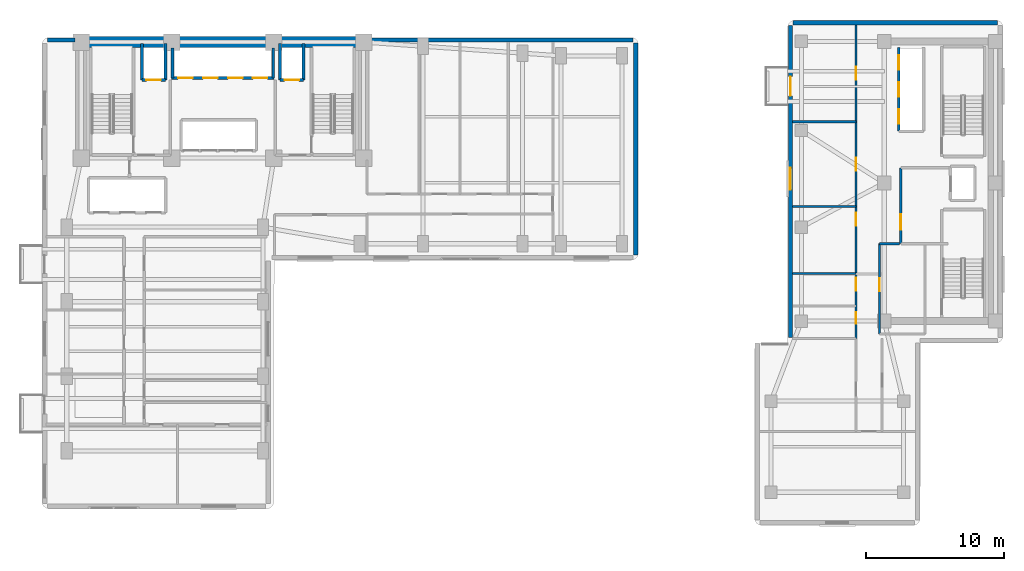
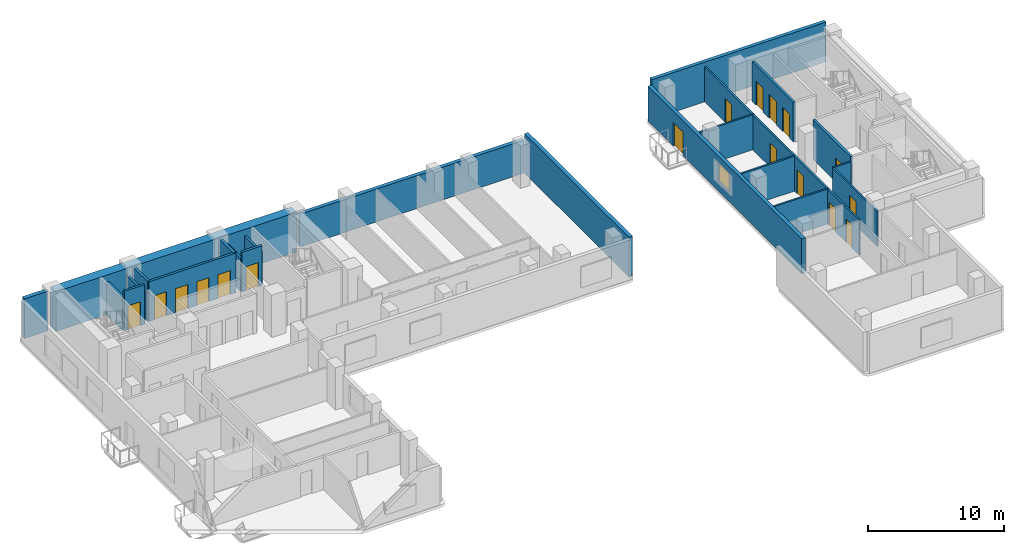
# One storey, part 11 of 16: 23 walls, 17 doors, 1 window, 18 openings.
"""IFC4 building model written with IfcOpenShell, lengths in metres."""

from ifc_helpers import new_model, si_unit, direction, frame, frame_2d, origin, place, context, subcontext, project, spatial, rectangle, extrude, material, layer, layer_set, type_object, element, fill, save


model = new_model("IFC4")

# Units and contexts
model_context = context("Model", 3, precision=1e-05, world=origin(), true_north=direction((0.0, 1.0)))
body_context = subcontext(model_context, "Body", "Model", "MODEL_VIEW")
ifc_project = project(units=[si_unit("LENGTHUNIT", "METRE"), si_unit("AREAUNIT", "SQUARE_METRE"), si_unit("VOLUMEUNIT", "CUBIC_METRE"), si_unit("PLANEANGLEUNIT", "RADIAN"), si_unit("MASSUNIT", "GRAM", prefix="KILO")], contexts=[model_context])

# Site, building, storey
site_placement = place(None, origin())
site = spatial("IfcSite", under=ifc_project, at=site_placement, CompositionType="ELEMENT")
building_placement = place(site_placement, origin())
building = spatial("IfcBuilding", under=site, at=building_placement, Name="Kuzgunbayir Cultural Tower", CompositionType="ELEMENT")
storey_placement = place(building_placement, frame((0.0, 0.0, 75.60009765625)))
storey = spatial("IfcBuildingStorey", under=building, at=storey_placement, Name="L21", CompositionType="ELEMENT", Elevation=75.60009765625)

# Wall
ifc_material_1 = material(Name="Concrete C60/75", Category="concrete")
ifc_layer_1 = layer(ifc_material_1, 0.800048828125)
ifc_layer_set_1 = layer_set([ifc_layer_1], Name="Concrete C60/75")
wall_type_1 = type_object("IfcWallType", Name="WAL-CORE-800", PredefinedType="SHEAR", material=ifc_layer_set_1)
wall_1_placement = place(storey_placement, frame((6.449951171875, 42.199951171875, 0.0), z_axis=(0.0, 0.0, 1.0), x_axis=(1.0, 0.0, 0.0)))
element("IfcWall", 1, at=wall_1_placement, inside=storey, type_object=wall_type_1, Name="L21 T1 Core North Shear Wall", PredefinedType="SHEAR", context=body_context, shape_type="SweptSolid", body=[
    extrude(rectangle(XDim=20.449951171875, YDim=0.800048828125, at=frame_2d((10.22509765625, 0.0))), origin(), (0.0, 0.0, 1.0), 3.559814453125),
])

# Wall, openings, door, window
ifc_material_2 = material(Name="Anatolian Cream Limestone", Category="masonry")
ifc_layer_2 = layer(ifc_material_2, 0.300048828125)
ifc_layer_set_2 = layer_set([ifc_layer_2], Name="Anatolian Cream Limestone")
wall_type_2 = type_object("IfcWallType", Name="WAL-EXT-STONE-300", PredefinedType="STANDARD", material=ifc_layer_set_2)
wall_2_placement = place(storey_placement, frame((57.800048828125, 43.39990234375, 0.0), z_axis=(0.0, 0.0, 1.0), x_axis=(0.0, -1.0, 0.0)))
wall_2 = element("IfcWall", 2, at=wall_2_placement, inside=storey, type_object=wall_type_2, Name="L21 Companion West Limestone Wall", PredefinedType="STANDARD", context=body_context, shape_type="SweptSolid", body=[
    extrude(rectangle(XDim=22.599853515625, YDim=0.300048828125, at=frame_2d((11.2998046875, 0.0))), origin(), (0.0, 0.0, 1.0), 3.139892578125),
])
opening_1_placement = place(wall_2_placement, frame((3.699951171875, 0.0, 0.0)))
opening_1 = element("IfcOpeningElement", 3, at=opening_1_placement, cuts=wall_2, Name="Opening BD-15", PredefinedType="OPENING", context=body_context, shape_type="SweptSolid", body=[
    extrude(rectangle(XDim=1.39990234375, YDim=2.10009765625, at=frame_2d((0.699951171875, 1.050048828125))), frame((0.0, 0.16015625, 0.0), z_axis=(0.0, -1.0, 0.0), x_axis=(1.0, 0.0, 0.0)), (0.0, 0.0, 1.0), 0.320068359375),
])
opening_2_placement = place(wall_2_placement, frame((10.300048828125, 0.0, 0.85009765625)))
opening_2 = element("IfcOpeningElement", 4, at=opening_2_placement, cuts=wall_2, Name="Opening WC-16", PredefinedType="OPENING", context=body_context, shape_type="SweptSolid", body=[
    extrude(rectangle(XDim=1.60009765625, YDim=1.699951171875, at=frame_2d((0.800048828125, 0.85009765625))), frame((0.0, 0.16015625, 0.0), z_axis=(0.0, -1.0, 0.0), x_axis=(1.0, 0.0, 0.0)), (0.0, 0.0, 1.0), 0.320068359375),
])
ifc_material_3 = material(Name="Thermally Broken Glazed Aluminium", Category="aluminium")
door_type_1 = type_object("IfcDoorType", Name="DR-BALCONY-150", OperationType="SLIDING_TO_RIGHT", PredefinedType="DOOR", material=ifc_material_3)
door_1_placement = place(opening_1_placement, origin())
door_1 = element("IfcDoor", 5, at=door_1_placement, inside=storey, type_object=door_type_1, Name="L21 Companion Balcony Door BAL-L21-T2W3", OperationType="SLIDING_TO_RIGHT", OverallHeight=2.10009765625, OverallWidth=1.39990234375, PredefinedType="DOOR", context=body_context, shape_type="SweptSolid", body=[
    extrude(rectangle(XDim=1.39990234375, YDim=2.10009765625, at=frame_2d((0.699951171875, 1.050048828125))), frame((0.0, 0.02490234375, 0.0), z_axis=(0.0, -1.0, 0.0), x_axis=(1.0, 0.0, 0.0)), (0.0, 0.0, 1.0), 0.050048828125),
])
fill(opening_1, door_1)
ifc_material_4 = material(Name="Solar-Control Triple Glazing", Category="glass")
window_type = type_object("IfcWindowType", Name="WIN-COMP-16", PartitioningType="SINGLE_PANEL", PredefinedType="WINDOW", material=ifc_material_4)
window_placement = place(opening_2_placement, origin())
window = element("IfcWindow", 6, at=window_placement, inside=storey, type_object=window_type, Name="L21 Companion West Window 32", OverallHeight=1.699951171875, OverallWidth=1.60009765625, PartitioningType="SINGLE_PANEL", PredefinedType="WINDOW", context=body_context, shape_type="SweptSolid", body=[
    extrude(rectangle(XDim=1.60009765625, YDim=1.699951171875, at=frame_2d((0.800048828125, 0.85009765625))), frame((0.0, 0.030029296875, 0.0), z_axis=(0.0, -1.0, 0.0), x_axis=(1.0, 0.0, 0.0)), (0.0, 0.0, 1.0), 0.06005859375),
])
fill(opening_2, window)

# Walls
wall_3_placement = place(storey_placement, frame((72.800048828125, 43.60009765625, 0.0), z_axis=(0.0, 0.0, 1.0), x_axis=(-1.0, 0.0, 0.0)))
element("IfcWall", 7, at=wall_3_placement, inside=storey, type_object=wall_type_2, Name="L21 Companion North Limestone Wall", PredefinedType="STANDARD", context=body_context, shape_type="SweptSolid", body=[
    extrude(rectangle(XDim=14.800048828125, YDim=0.300048828125, at=frame_2d((7.39990234375, 0.0))), origin(), (0.0, 0.0, 1.0), 3.559814453125),
])
ifc_material_5 = material(Name="Travertine Buff Ashlar", Category="masonry")
ifc_layer_3 = layer(ifc_material_5, 0.320068359375)
ifc_layer_set_3 = layer_set([ifc_layer_3], Name="Travertine Buff Ashlar")
wall_type_3 = type_object("IfcWallType", Name="WAL-EXT-STONE-320", PredefinedType="STANDARD", material=ifc_layer_set_3)
wall_4_placement = place(storey_placement, frame((46.39990234375, 42.35009765625, 0.0), z_axis=(0.0, 0.0, 1.0), x_axis=(-1.0, 0.0, 0.0)))
element("IfcWall", 8, at=wall_4_placement, inside=storey, type_object=wall_type_3, Name="L21 North Wing B Limestone Wall", PredefinedType="STANDARD", context=body_context, shape_type="SweptSolid", body=[
    extrude(rectangle(XDim=19.0498046875, YDim=0.320068359375, at=frame_2d((9.52490234375, 0.0))), origin(), (0.0, 0.0, 1.0), 2.949951171875),
])
wall_5_placement = place(storey_placement, frame((6.0, 42.35009765625, 0.0), z_axis=(0.0, 0.0, 1.0), x_axis=(-1.0, 0.0, 0.0)))
element("IfcWall", 9, at=wall_5_placement, inside=storey, type_object=wall_type_3, Name="L21 Core North-West Spandrel Link", PredefinedType="STANDARD", context=body_context, shape_type="SweptSolid", body=[
    extrude(rectangle(XDim=2.0, YDim=0.320068359375, at=frame_2d((1.0, 0.0))), origin(), (0.0, 0.0, 1.0), 3.559814453125),
])
wall_6_placement = place(storey_placement, frame((46.60009765625, 26.800048828125, 0.0), z_axis=(0.0, 0.0, 1.0), x_axis=(0.0, 1.0, 0.0)))
element("IfcWall", 10, at=wall_6_placement, inside=storey, type_object=wall_type_3, Name="L21 Wing B East Limestone Wall", PredefinedType="STANDARD", context=body_context, shape_type="SweptSolid", body=[
    extrude(rectangle(XDim=15.349853515625, YDim=0.320068359375, at=frame_2d((7.6748046875, 0.0))), origin(), (0.0, 0.0, 1.0), 3.559814453125),
])

# Wall, opening, door
ifc_material_6 = material(Name="Acoustic Double-Stud Drywall", Category="gypsum")
ifc_layer_4 = layer(ifc_material_6, 0.14990234375)
ifc_layer_set_4 = layer_set([ifc_layer_4], Name="Acoustic Double-Stud Drywall")
wall_type_4 = type_object("IfcWallType", Name="WAL-PART-ACOUSTIC-150", PredefinedType="PARTITIONING", material=ifc_layer_set_4)
wall_7_placement = place(storey_placement, frame((64.25, 21.050048828125, 0.0), z_axis=(0.0, 0.0, 1.0), x_axis=(0.0, 1.0, 0.0)))
wall_7 = element("IfcWall", 11, at=wall_7_placement, inside=storey, type_object=wall_type_4, Name="L21 Companion Archive West Wall", PredefinedType="PARTITIONING", context=body_context, shape_type="SweptSolid", body=[
    extrude(rectangle(XDim=6.550048828125, YDim=0.14990234375, at=frame_2d((3.27490234375, 0.0))), origin(), (0.0, 0.0, 1.0), 3.139892578125),
])
opening_3_placement = place(wall_7_placement, frame((3.10009765625, 0.0, 0.0)))
opening_3 = element("IfcOpeningElement", 12, at=opening_3_placement, cuts=wall_7, Name="Opening DI-90", PredefinedType="OPENING", context=body_context, shape_type="SweptSolid", body=[
    extrude(rectangle(XDim=0.949951171875, YDim=2.14990234375, at=frame_2d((0.47509765625, 1.074951171875))), frame((0.0, 0.0849609375, 0.0), z_axis=(0.0, -1.0, 0.0), x_axis=(1.0, 0.0, 0.0)), (0.0, 0.0, 1.0), 0.169921875),
])
ifc_material_7 = material(Name="Veneered Oak Single Leaf", Category="wood")
door_type_2 = type_object("IfcDoorType", Name="DR-INT-90", OperationType="NOTDEFINED", PredefinedType="DOOR", material=ifc_material_7)
door_2_placement = place(opening_3_placement, origin())
door_2 = element("IfcDoor", 13, at=door_2_placement, inside=storey, type_object=door_type_2, Name="L21 Companion Archive Door", OperationType="SINGLE_SWING_LEFT", OverallHeight=2.14990234375, OverallWidth=0.949951171875, PredefinedType="DOOR", context=body_context, shape_type="SweptSolid", body=[
    extrude(rectangle(XDim=0.949951171875, YDim=2.14990234375, at=frame_2d((0.47509765625, 1.074951171875))), frame((0.0, 0.02490234375, 0.0), z_axis=(0.0, -1.0, 0.0), x_axis=(1.0, 0.0, 0.0)), (0.0, 0.0, 1.0), 0.050048828125),
])
fill(opening_3, door_2)

# Wall
wall_8_placement = place(storey_placement, frame((64.25, 27.60009765625, 0.0), z_axis=(0.0, 0.0, 1.0), x_axis=(1.0, 0.0, 0.0)))
element("IfcWall", 14, at=wall_8_placement, inside=storey, type_object=wall_type_4, Name="L21 Companion Archive North Wall", PredefinedType="PARTITIONING", context=body_context, shape_type="SweptSolid", body=[
    extrude(rectangle(XDim=1.469970703125, YDim=0.14990234375, at=frame_2d((0.73486328125, 0.0))), origin(), (0.0, 0.0, 1.0), 3.139892578125),
])

# Wall, openings, doors
wall_9_placement = place(storey_placement, frame((62.550048828125, 20.75, 0.0), z_axis=(0.0, 0.0, 1.0), x_axis=(0.0, 1.0, 0.0)))
wall_9 = element("IfcWall", 15, at=wall_9_placement, inside=storey, type_object=wall_type_4, Name="L21 Companion Corridor West Wall", PredefinedType="PARTITIONING", context=body_context, shape_type="SweptSolid", body=[
    extrude(rectangle(XDim=22.699951171875, YDim=0.14990234375, at=frame_2d((11.35009765625, 0.0))), origin(), (0.0, 0.0, 1.0), 3.139892578125),
])
opening_4_placement = place(wall_9_placement, frame((1.050048828125, 0.0, 0.0)))
opening_4 = element("IfcOpeningElement", 16, at=opening_4_placement, cuts=wall_9, Name="Opening DW-85", PredefinedType="OPENING", context=body_context, shape_type="SweptSolid", body=[
    extrude(rectangle(XDim=0.85009765625, YDim=2.10009765625, at=frame_2d((0.425048828125, 1.050048828125))), frame((0.0, 0.0849609375, 0.0), z_axis=(0.0, -1.0, 0.0), x_axis=(1.0, 0.0, 0.0)), (0.0, 0.0, 1.0), 0.169921875),
])
opening_5_placement = place(wall_9_placement, frame((3.429931640625, 0.0, 0.0)))
opening_5 = element("IfcOpeningElement", 17, at=opening_5_placement, cuts=wall_9, Name="Opening DW-95", PredefinedType="OPENING", context=body_context, shape_type="SweptSolid", body=[
    extrude(rectangle(XDim=0.949951171875, YDim=2.10009765625, at=frame_2d((0.47509765625, 1.050048828125))), frame((0.0, 0.0849609375, 0.0), z_axis=(0.0, -1.0, 0.0), x_axis=(1.0, 0.0, 0.0)), (0.0, 0.0, 1.0), 0.169921875),
])
opening_6_placement = place(wall_9_placement, frame((8.14990234375, 0.0, 0.0)))
opening_6 = element("IfcOpeningElement", 18, at=opening_6_placement, cuts=wall_9, Name="Opening DI-90", PredefinedType="OPENING", context=body_context, shape_type="SweptSolid", body=[
    extrude(rectangle(XDim=0.949951171875, YDim=2.14990234375, at=frame_2d((0.47509765625, 1.074951171875))), frame((0.0, 0.0849609375, 0.0), z_axis=(0.0, -1.0, 0.0), x_axis=(1.0, 0.0, 0.0)), (0.0, 0.0, 1.0), 0.169921875),
])
opening_7_placement = place(wall_9_placement, frame((12.139892578125, 0.0, 0.0)))
opening_7 = element("IfcOpeningElement", 19, at=opening_7_placement, cuts=wall_9, Name="Opening DI-90", PredefinedType="OPENING", context=body_context, shape_type="SweptSolid", body=[
    extrude(rectangle(XDim=0.949951171875, YDim=2.14990234375, at=frame_2d((0.47509765625, 1.074951171875))), frame((0.0, 0.0849609375, 0.0), z_axis=(0.0, -1.0, 0.0), x_axis=(1.0, 0.0, 0.0)), (0.0, 0.0, 1.0), 0.169921875),
])
opening_8_placement = place(wall_9_placement, frame((18.7099609375, 0.0, 0.0)))
opening_8 = element("IfcOpeningElement", 20, at=opening_8_placement, cuts=wall_9, Name="Opening DI-90", PredefinedType="OPENING", context=body_context, shape_type="SweptSolid", body=[
    extrude(rectangle(XDim=0.949951171875, YDim=2.14990234375, at=frame_2d((0.47509765625, 1.074951171875))), frame((0.0, 0.0849609375, 0.0), z_axis=(0.0, -1.0, 0.0), x_axis=(1.0, 0.0, 0.0)), (0.0, 0.0, 1.0), 0.169921875),
])
door_3_placement = place(opening_6_placement, origin())
door_3 = element("IfcDoor", 21, at=door_3_placement, inside=storey, type_object=door_type_2, Name="L21 Companion Art Publication Salon 1 Door", OperationType="SINGLE_SWING_RIGHT", OverallHeight=2.14990234375, OverallWidth=0.949951171875, PredefinedType="DOOR", context=body_context, shape_type="SweptSolid", body=[
    extrude(rectangle(XDim=0.949951171875, YDim=2.14990234375, at=frame_2d((0.47509765625, 1.074951171875))), frame((0.0, 0.02490234375, 0.0), z_axis=(0.0, -1.0, 0.0), x_axis=(1.0, 0.0, 0.0)), (0.0, 0.0, 1.0), 0.050048828125),
])
fill(opening_6, door_3)
door_4_placement = place(opening_7_placement, origin())
door_4 = element("IfcDoor", 22, at=door_4_placement, inside=storey, type_object=door_type_2, Name="L21 Companion Curatorial Office 2 Door", OperationType="SINGLE_SWING_LEFT", OverallHeight=2.14990234375, OverallWidth=0.949951171875, PredefinedType="DOOR", context=body_context, shape_type="SweptSolid", body=[
    extrude(rectangle(XDim=0.949951171875, YDim=2.14990234375, at=frame_2d((0.47509765625, 1.074951171875))), frame((0.0, 0.02490234375, 0.0), z_axis=(0.0, -1.0, 0.0), x_axis=(1.0, 0.0, 0.0)), (0.0, 0.0, 1.0), 0.050048828125),
])
fill(opening_7, door_4)
door_5_placement = place(opening_8_placement, origin())
door_5 = element("IfcDoor", 23, at=door_5_placement, inside=storey, type_object=door_type_2, Name="L21 Companion Seminar Boardroom 3 Door", OperationType="SINGLE_SWING_RIGHT", OverallHeight=2.14990234375, OverallWidth=0.949951171875, PredefinedType="DOOR", context=body_context, shape_type="SweptSolid", body=[
    extrude(rectangle(XDim=0.949951171875, YDim=2.14990234375, at=frame_2d((0.47509765625, 1.074951171875))), frame((0.0, 0.02490234375, 0.0), z_axis=(0.0, -1.0, 0.0), x_axis=(1.0, 0.0, 0.0)), (0.0, 0.0, 1.0), 0.050048828125),
])
fill(opening_8, door_5)
ifc_material_8 = material(Name="Laminate Moisture-Resistant Leaf", Category="wood")
door_type_3 = type_object("IfcDoorType", Name="DR-WET-85", OperationType="NOTDEFINED", PredefinedType="DOOR", material=ifc_material_8)
door_6_placement = place(opening_4_placement, origin())
door_6 = element("IfcDoor", 24, at=door_6_placement, inside=storey, type_object=door_type_3, Name="L21 Companion WC Door", OperationType="SINGLE_SWING_RIGHT", OverallHeight=2.10009765625, OverallWidth=0.85009765625, PredefinedType="DOOR", context=body_context, shape_type="SweptSolid", body=[
    extrude(rectangle(XDim=0.85009765625, YDim=2.10009765625, at=frame_2d((0.425048828125, 1.050048828125))), frame((0.0, 0.02490234375, 0.0), z_axis=(0.0, -1.0, 0.0), x_axis=(1.0, 0.0, 0.0)), (0.0, 0.0, 1.0), 0.050048828125),
])
fill(opening_4, door_6)
door_type_4 = type_object("IfcDoorType", Name="DR-WET-95", OperationType="NOTDEFINED", PredefinedType="DOOR", material=ifc_material_8)
door_7_placement = place(opening_5_placement, origin())
door_7 = element("IfcDoor", 25, at=door_7_placement, inside=storey, type_object=door_type_4, Name="L21 Companion Accessible WC Door", OperationType="SINGLE_SWING_LEFT", OverallHeight=2.10009765625, OverallWidth=0.949951171875, PredefinedType="DOOR", context=body_context, shape_type="SweptSolid", body=[
    extrude(rectangle(XDim=0.949951171875, YDim=2.10009765625, at=frame_2d((0.47509765625, 1.050048828125))), frame((0.0, 0.02490234375, 0.0), z_axis=(0.0, -1.0, 0.0), x_axis=(1.0, 0.0, 0.0)), (0.0, 0.0, 1.0), 0.050048828125),
])
fill(opening_5, door_7)

# Walls
for number, where, z_axis, x_axis, name in (
    (26, (57.949951171875, 30.31005859375, 0.0), (0.0, 0.0, 1.0), (1.0, 0.0, 0.0), "L21 Companion Studio Partition 1"),
    (27, (57.949951171875, 36.429931640625, 0.0), (0.0, 0.0, 1.0), (1.0, 0.0, 0.0), "L21 Companion Studio Partition 2"),
):
    element("IfcWall", number, at=place(storey_placement, frame(where, z_axis=z_axis, x_axis=x_axis)), inside=storey, type_object=wall_type_4, Name=name, PredefinedType="PARTITIONING", context=body_context, shape_type="SweptSolid", body=[
        extrude(rectangle(XDim=4.60009765625, YDim=0.14990234375, at=frame_2d((2.300048828125, 0.0))), origin(), (0.0, 0.0, 1.0), 3.139892578125),
    ])

# Wall, opening, door
ifc_material_9 = material(Name="Aerated Concrete Blockwork", Category="masonry")
ifc_layer_5 = layer(ifc_material_9, 0.199951171875)
ifc_layer_set_5 = layer_set([ifc_layer_5], Name="Aerated Concrete Blockwork")
wall_type_5 = type_object("IfcWallType", Name="WAL-PART-FIRE-200", PredefinedType="PARTITIONING", material=ifc_layer_set_5)
wall_10_placement = place(storey_placement, frame((65.800048828125, 27.60009765625, 0.0), z_axis=(0.0, 0.0, 1.0), x_axis=(0.0, 1.0, 0.0)))
wall_10 = element("IfcWall", 28, at=wall_10_placement, inside=storey, type_object=wall_type_5, Name="L21 FFL-3 Lobby West Fire Wall", PredefinedType="PARTITIONING", context=body_context, shape_type="SweptSolid", body=[
    extrude(rectangle(XDim=5.5, YDim=0.199951171875, at=frame_2d((2.75, 0.0))), origin(), (0.0, 0.0, 1.0), 3.559814453125),
])
opening_9_placement = place(wall_10_placement, frame((1.0, 0.0, 0.0)))
opening_9 = element("IfcOpeningElement", 29, at=opening_9_placement, cuts=wall_10, Name="Opening DR-FFL-90", PredefinedType="OPENING", context=body_context, shape_type="SweptSolid", body=[
    extrude(rectangle(XDim=1.14990234375, YDim=2.14990234375, at=frame_2d((0.574951171875, 1.074951171875))), frame((0.0, 0.10986328125, 0.0), z_axis=(0.0, -1.0, 0.0), x_axis=(1.0, 0.0, 0.0)), (0.0, 0.0, 1.0), 0.219970703125),
])
ifc_material_10 = material(Name="Steel S355J2", Category="steel")
door_type_5 = type_object("IfcDoorType", Name="DR-FFL-90", OperationType="NOTDEFINED", PredefinedType="DOOR", material=ifc_material_10)
door_8_placement = place(opening_9_placement, origin())
door_8 = element("IfcDoor", 30, at=door_8_placement, inside=storey, type_object=door_type_5, Name="L21 Firefighting Lobby 3 Door", OperationType="SINGLE_SWING_RIGHT", OverallHeight=2.14990234375, OverallWidth=1.14990234375, PredefinedType="DOOR", context=body_context, shape_type="SweptSolid", body=[
    extrude(rectangle(XDim=1.14990234375, YDim=2.14990234375, at=frame_2d((0.574951171875, 1.074951171875))), frame((0.0, 0.02490234375, 0.0), z_axis=(0.0, -1.0, 0.0), x_axis=(1.0, 0.0, 0.0)), (0.0, 0.0, 1.0), 0.050048828125),
])
fill(opening_9, door_8)

# Wall
ifc_material_11 = material(Name="Moisture-Resistant Tile Partition", Category="gypsum")
ifc_layer_6 = layer(ifc_material_11, 0.14990234375)
ifc_layer_set_6 = layer_set([ifc_layer_6], Name="Moisture-Resistant Tile Partition")
wall_type_6 = type_object("IfcWallType", Name="WAL-PART-WET-150", PredefinedType="PARTITIONING", material=ifc_layer_set_6)
wall_11_placement = place(storey_placement, frame((57.949951171875, 25.449951171875, 0.0), z_axis=(0.0, 0.0, 1.0), x_axis=(1.0, 0.0, 0.0)))
element("IfcWall", 31, at=wall_11_placement, inside=storey, type_object=wall_type_6, Name="L21 Companion Accessible WC Wall", PredefinedType="PARTITIONING", context=body_context, shape_type="SweptSolid", body=[
    extrude(rectangle(XDim=4.60009765625, YDim=0.14990234375, at=frame_2d((2.300048828125, 0.0))), origin(), (0.0, 0.0, 1.0), 3.139892578125),
])

# Wall, opening, door
ifc_material_12 = material(Name="Concrete C40/50", Category="concrete")
ifc_layer_7 = layer(ifc_material_12, 0.199951171875)
ifc_layer_set_7 = layer_set([ifc_layer_7], Name="Concrete C40/50")
wall_type_7 = type_object("IfcWallType", Name="WAL-SHAFT-200", PredefinedType="MOVABLE", material=ifc_layer_set_7)
wall_12_placement = place(storey_placement, frame((10.85009765625, 39.449951171875, 0.0), z_axis=(0.0, 0.0, 1.0), x_axis=(1.0, 0.0, 0.0)))
wall_12 = element("IfcWall", 32, at=wall_12_placement, inside=storey, type_object=wall_type_7, Name="L21 FFL-1 Lift Front Wall", PredefinedType="MOVABLE", context=body_context, shape_type="SweptSolid", body=[
    extrude(rectangle(XDim=1.699951171875, YDim=0.199951171875, at=frame_2d((0.85009765625, 0.0))), origin(), (0.0, 0.0, 1.0), 3.559814453125),
])
opening_10_placement = place(wall_12_placement, frame((0.320068359375, 0.0, 0.0)))
opening_10 = element("IfcOpeningElement", 33, at=opening_10_placement, cuts=wall_12, Name="Opening LD", PredefinedType="OPENING", context=body_context, shape_type="SweptSolid", body=[
    extrude(rectangle(XDim=1.050048828125, YDim=2.14990234375, at=frame_2d((0.52490234375, 1.074951171875))), frame((0.0, 0.10986328125, 0.0), z_axis=(0.0, -1.0, 0.0), x_axis=(1.0, 0.0, 0.0)), (0.0, 0.0, 1.0), 0.219970703125),
])
ifc_material_13 = material(Name="Brushed Stainless Steel", Category="steel")
door_type_6 = type_object("IfcDoorType", Name="DR-LIFT-LANDING", OperationType="SLIDING_TO_LEFT", PredefinedType="DOOR", material=ifc_material_13)
door_9_placement = place(opening_10_placement, origin())
door_9 = element("IfcDoor", 34, at=door_9_placement, inside=storey, type_object=door_type_6, Name="L21 Lift FFL-1 Landing Door", OperationType="SLIDING_TO_LEFT", OverallHeight=2.14990234375, OverallWidth=1.050048828125, PredefinedType="DOOR", context=body_context, shape_type="SweptSolid", body=[
    extrude(rectangle(XDim=1.050048828125, YDim=2.14990234375, at=frame_2d((0.52490234375, 1.074951171875))), frame((0.0, 0.02490234375, 0.0), z_axis=(0.0, -1.0, 0.0), x_axis=(1.0, 0.0, 0.0)), (0.0, 0.0, 1.0), 0.050048828125),
])
fill(opening_10, door_9)

wall_13_placement = place(storey_placement, frame((20.85009765625, 39.449951171875, 0.0), z_axis=(0.0, 0.0, 1.0), x_axis=(1.0, 0.0, 0.0)))
wall_13 = element("IfcWall", 35, at=wall_13_placement, inside=storey, type_object=wall_type_7, Name="L21 FFL-2 Lift Front Wall", PredefinedType="MOVABLE", context=body_context, shape_type="SweptSolid", body=[
    extrude(rectangle(XDim=1.699951171875, YDim=0.199951171875, at=frame_2d((0.85009765625, 0.0))), origin(), (0.0, 0.0, 1.0), 3.559814453125),
])
opening_11_placement = place(wall_13_placement, frame((0.320068359375, 0.0, 0.0)))
opening_11 = element("IfcOpeningElement", 36, at=opening_11_placement, cuts=wall_13, Name="Opening LD", PredefinedType="OPENING", context=body_context, shape_type="SweptSolid", body=[
    extrude(rectangle(XDim=1.050048828125, YDim=2.14990234375, at=frame_2d((0.52490234375, 1.074951171875))), frame((0.0, 0.10986328125, 0.0), z_axis=(0.0, -1.0, 0.0), x_axis=(1.0, 0.0, 0.0)), (0.0, 0.0, 1.0), 0.219970703125),
])
door_10_placement = place(opening_11_placement, origin())
door_10 = element("IfcDoor", 37, at=door_10_placement, inside=storey, type_object=door_type_6, Name="L21 Lift FFL-2 Landing Door", OperationType="SLIDING_TO_LEFT", OverallHeight=2.14990234375, OverallWidth=1.050048828125, PredefinedType="DOOR", context=body_context, shape_type="SweptSolid", body=[
    extrude(rectangle(XDim=1.050048828125, YDim=2.14990234375, at=frame_2d((0.52490234375, 1.074951171875))), frame((0.0, 0.02490234375, 0.0), z_axis=(0.0, -1.0, 0.0), x_axis=(1.0, 0.0, 0.0)), (0.0, 0.0, 1.0), 0.050048828125),
])
fill(opening_11, door_10)

# Walls
for number, where, z_axis, x_axis, name in (
    (38, (10.85009765625, 39.449951171875, 0.0), (0.0, 0.0, 1.0), (0.0, 1.0, 0.0), "L21 FFL-1 Shaft West Wall"),
    (39, (12.550048828125, 39.449951171875, 0.0), (0.0, 0.0, 1.0), (0.0, 1.0, 0.0), "L21 FFL-1 Shaft East Wall"),
    (40, (20.85009765625, 39.449951171875, 0.0), (0.0, 0.0, 1.0), (0.0, 1.0, 0.0), "L21 FFL-2 Shaft West Wall"),
    (41, (22.550048828125, 39.449951171875, 0.0), (0.0, 0.0, 1.0), (0.0, 1.0, 0.0), "L21 FFL-2 Shaft East Wall"),
):
    element("IfcWall", number, at=place(storey_placement, frame(where, z_axis=z_axis, x_axis=x_axis)), inside=storey, type_object=wall_type_7, Name=name, PredefinedType="MOVABLE", context=body_context, shape_type="SweptSolid", body=[
        extrude(rectangle(XDim=2.650146484375, YDim=0.199951171875, at=frame_2d((1.3251953125, 0.0))), origin(), (0.0, 0.0, 1.0), 2.949951171875),
    ])

# Wall, openings, doors
wall_14_placement = place(storey_placement, frame((13.0, 39.60009765625, 0.0), z_axis=(0.0, 0.0, 1.0), x_axis=(1.0, 0.0, 0.0)))
wall_14 = element("IfcWall", 42, at=wall_14_placement, inside=storey, type_object=wall_type_7, Name="L21 Low-Rise Lift Front Wall", PredefinedType="MOVABLE", context=body_context, shape_type="SweptSolid", body=[
    extrude(rectangle(XDim=7.39990234375, YDim=0.199951171875, at=frame_2d((3.699951171875, 0.0))), origin(), (0.0, 0.0, 1.0), 3.559814453125),
])
opening_12_placement = place(wall_14_placement, frame((0.469970703125, 0.0, 0.0)))
opening_12 = element("IfcOpeningElement", 43, at=opening_12_placement, cuts=wall_14, Name="Opening LD", PredefinedType="OPENING", context=body_context, shape_type="SweptSolid", body=[
    extrude(rectangle(XDim=1.050048828125, YDim=2.14990234375, at=frame_2d((0.52490234375, 1.074951171875))), frame((0.0, 0.10986328125, 0.0), z_axis=(0.0, -1.0, 0.0), x_axis=(1.0, 0.0, 0.0)), (0.0, 0.0, 1.0), 0.219970703125),
])
opening_13_placement = place(wall_14_placement, frame((2.280029296875, 0.0, 0.0)))
opening_13 = element("IfcOpeningElement", 44, at=opening_13_placement, cuts=wall_14, Name="Opening LD", PredefinedType="OPENING", context=body_context, shape_type="SweptSolid", body=[
    extrude(rectangle(XDim=1.050048828125, YDim=2.14990234375, at=frame_2d((0.52490234375, 1.074951171875))), frame((0.0, 0.10986328125, 0.0), z_axis=(0.0, -1.0, 0.0), x_axis=(1.0, 0.0, 0.0)), (0.0, 0.0, 1.0), 0.219970703125),
])
opening_14_placement = place(wall_14_placement, frame((4.080078125, 0.0, 0.0)))
opening_14 = element("IfcOpeningElement", 45, at=opening_14_placement, cuts=wall_14, Name="Opening LD", PredefinedType="OPENING", context=body_context, shape_type="SweptSolid", body=[
    extrude(rectangle(XDim=1.050048828125, YDim=2.14990234375, at=frame_2d((0.52490234375, 1.074951171875))), frame((0.0, 0.10986328125, 0.0), z_axis=(0.0, -1.0, 0.0), x_axis=(1.0, 0.0, 0.0)), (0.0, 0.0, 1.0), 0.219970703125),
])
opening_15_placement = place(wall_14_placement, frame((5.8798828125, 0.0, 0.0)))
opening_15 = element("IfcOpeningElement", 46, at=opening_15_placement, cuts=wall_14, Name="Opening LD", PredefinedType="OPENING", context=body_context, shape_type="SweptSolid", body=[
    extrude(rectangle(XDim=1.050048828125, YDim=2.14990234375, at=frame_2d((0.52490234375, 1.074951171875))), frame((0.0, 0.10986328125, 0.0), z_axis=(0.0, -1.0, 0.0), x_axis=(1.0, 0.0, 0.0)), (0.0, 0.0, 1.0), 0.219970703125),
])
door_11_placement = place(opening_12_placement, origin())
door_11 = element("IfcDoor", 47, at=door_11_placement, inside=storey, type_object=door_type_6, Name="L21 Lift PL-1 Landing Door", OperationType="SLIDING_TO_LEFT", OverallHeight=2.14990234375, OverallWidth=1.050048828125, PredefinedType="DOOR", context=body_context, shape_type="SweptSolid", body=[
    extrude(rectangle(XDim=1.050048828125, YDim=2.14990234375, at=frame_2d((0.52490234375, 1.074951171875))), frame((0.0, 0.02490234375, 0.0), z_axis=(0.0, -1.0, 0.0), x_axis=(1.0, 0.0, 0.0)), (0.0, 0.0, 1.0), 0.050048828125),
])
fill(opening_12, door_11)
door_12_placement = place(opening_13_placement, origin())
door_12 = element("IfcDoor", 48, at=door_12_placement, inside=storey, type_object=door_type_6, Name="L21 Lift PL-2 Landing Door", OperationType="SLIDING_TO_LEFT", OverallHeight=2.14990234375, OverallWidth=1.050048828125, PredefinedType="DOOR", context=body_context, shape_type="SweptSolid", body=[
    extrude(rectangle(XDim=1.050048828125, YDim=2.14990234375, at=frame_2d((0.52490234375, 1.074951171875))), frame((0.0, 0.02490234375, 0.0), z_axis=(0.0, -1.0, 0.0), x_axis=(1.0, 0.0, 0.0)), (0.0, 0.0, 1.0), 0.050048828125),
])
fill(opening_13, door_12)
door_13_placement = place(opening_14_placement, origin())
door_13 = element("IfcDoor", 49, at=door_13_placement, inside=storey, type_object=door_type_6, Name="L21 Lift PL-3 Landing Door", OperationType="SLIDING_TO_LEFT", OverallHeight=2.14990234375, OverallWidth=1.050048828125, PredefinedType="DOOR", context=body_context, shape_type="SweptSolid", body=[
    extrude(rectangle(XDim=1.050048828125, YDim=2.14990234375, at=frame_2d((0.52490234375, 1.074951171875))), frame((0.0, 0.02490234375, 0.0), z_axis=(0.0, -1.0, 0.0), x_axis=(1.0, 0.0, 0.0)), (0.0, 0.0, 1.0), 0.050048828125),
])
fill(opening_14, door_13)
door_14_placement = place(opening_15_placement, origin())
door_14 = element("IfcDoor", 50, at=door_14_placement, inside=storey, type_object=door_type_6, Name="L21 Lift PL-4 Landing Door", OperationType="SLIDING_TO_LEFT", OverallHeight=2.14990234375, OverallWidth=1.050048828125, PredefinedType="DOOR", context=body_context, shape_type="SweptSolid", body=[
    extrude(rectangle(XDim=1.050048828125, YDim=2.14990234375, at=frame_2d((0.52490234375, 1.074951171875))), frame((0.0, 0.02490234375, 0.0), z_axis=(0.0, -1.0, 0.0), x_axis=(1.0, 0.0, 0.0)), (0.0, 0.0, 1.0), 0.050048828125),
])
fill(opening_15, door_14)

# Walls
for number, where, z_axis, x_axis, name in (
    (51, (13.050048828125, 39.60009765625, 0.0), (0.0, 0.0, 1.0), (0.0, 1.0, 0.0), "L21 Low-Rise Lift Shaft West Wall"),
    (52, (20.35009765625, 39.60009765625, 0.0), (0.0, 0.0, 1.0), (0.0, 1.0, 0.0), "L21 Low-Rise Lift Shaft East Wall"),
):
    element("IfcWall", number, at=place(storey_placement, frame(where, z_axis=z_axis, x_axis=x_axis)), inside=storey, type_object=wall_type_7, Name=name, PredefinedType="MOVABLE", context=body_context, shape_type="SweptSolid", body=[
        extrude(rectangle(XDim=2.179931640625, YDim=0.199951171875, at=frame_2d((1.08984375, 0.0))), origin(), (0.0, 0.0, 1.0), 3.559814453125),
    ])

# Wall, openings, doors
wall_15_placement = place(storey_placement, frame((65.64990234375, 35.75, 0.0), z_axis=(0.0, 0.0, 1.0), x_axis=(0.0, 1.0, 0.0)))
wall_15 = element("IfcWall", 53, at=wall_15_placement, inside=storey, type_object=wall_type_7, Name="L21 Companion Lift Front Wall", PredefinedType="MOVABLE", context=body_context, shape_type="SweptSolid", body=[
    extrude(rectangle(XDim=6.050048828125, YDim=0.199951171875, at=frame_2d((3.02490234375, 0.0))), origin(), (0.0, 0.0, 1.0), 3.559814453125),
])
opening_16_placement = place(wall_15_placement, frame((0.52001953125, 0.0, 0.0)))
opening_16 = element("IfcOpeningElement", 54, at=opening_16_placement, cuts=wall_15, Name="Opening LD", PredefinedType="OPENING", context=body_context, shape_type="SweptSolid", body=[
    extrude(rectangle(XDim=1.050048828125, YDim=2.14990234375, at=frame_2d((0.52490234375, 1.074951171875))), frame((0.0, 0.10986328125, 0.0), z_axis=(0.0, -1.0, 0.0), x_axis=(1.0, 0.0, 0.0)), (0.0, 0.0, 1.0), 0.219970703125),
])
opening_17_placement = place(wall_15_placement, frame((2.47998046875, 0.0, 0.0)))
opening_17 = element("IfcOpeningElement", 55, at=opening_17_placement, cuts=wall_15, Name="Opening LD", PredefinedType="OPENING", context=body_context, shape_type="SweptSolid", body=[
    extrude(rectangle(XDim=1.050048828125, YDim=2.14990234375, at=frame_2d((0.52490234375, 1.074951171875))), frame((0.0, 0.10986328125, 0.0), z_axis=(0.0, -1.0, 0.0), x_axis=(1.0, 0.0, 0.0)), (0.0, 0.0, 1.0), 0.219970703125),
])
opening_18_placement = place(wall_15_placement, frame((4.429931640625, 0.0, 0.0)))
opening_18 = element("IfcOpeningElement", 56, at=opening_18_placement, cuts=wall_15, Name="Opening LD", PredefinedType="OPENING", context=body_context, shape_type="SweptSolid", body=[
    extrude(rectangle(XDim=1.050048828125, YDim=2.14990234375, at=frame_2d((0.52490234375, 1.074951171875))), frame((0.0, 0.10986328125, 0.0), z_axis=(0.0, -1.0, 0.0), x_axis=(1.0, 0.0, 0.0)), (0.0, 0.0, 1.0), 0.219970703125),
])
door_15_placement = place(opening_16_placement, origin())
door_15 = element("IfcDoor", 57, at=door_15_placement, inside=storey, type_object=door_type_6, Name="L21 Lift PC-1 Landing Door", OperationType="SLIDING_TO_LEFT", OverallHeight=2.14990234375, OverallWidth=1.050048828125, PredefinedType="DOOR", context=body_context, shape_type="SweptSolid", body=[
    extrude(rectangle(XDim=1.050048828125, YDim=2.14990234375, at=frame_2d((0.52490234375, 1.074951171875))), frame((0.0, 0.02490234375, 0.0), z_axis=(0.0, -1.0, 0.0), x_axis=(1.0, 0.0, 0.0)), (0.0, 0.0, 1.0), 0.050048828125),
])
fill(opening_16, door_15)
door_16_placement = place(opening_17_placement, origin())
door_16 = element("IfcDoor", 58, at=door_16_placement, inside=storey, type_object=door_type_6, Name="L21 Lift PC-2 Landing Door", OperationType="SLIDING_TO_LEFT", OverallHeight=2.14990234375, OverallWidth=1.050048828125, PredefinedType="DOOR", context=body_context, shape_type="SweptSolid", body=[
    extrude(rectangle(XDim=1.050048828125, YDim=2.14990234375, at=frame_2d((0.52490234375, 1.074951171875))), frame((0.0, 0.02490234375, 0.0), z_axis=(0.0, -1.0, 0.0), x_axis=(1.0, 0.0, 0.0)), (0.0, 0.0, 1.0), 0.050048828125),
])
fill(opening_17, door_16)
door_17_placement = place(opening_18_placement, origin())
door_17 = element("IfcDoor", 59, at=door_17_placement, inside=storey, type_object=door_type_6, Name="L21 Lift PC-3 Landing Door", OperationType="SLIDING_TO_LEFT", OverallHeight=2.14990234375, OverallWidth=1.050048828125, PredefinedType="DOOR", context=body_context, shape_type="SweptSolid", body=[
    extrude(rectangle(XDim=1.050048828125, YDim=2.14990234375, at=frame_2d((0.52490234375, 1.074951171875))), frame((0.0, 0.02490234375, 0.0), z_axis=(0.0, -1.0, 0.0), x_axis=(1.0, 0.0, 0.0)), (0.0, 0.0, 1.0), 0.050048828125),
])
fill(opening_18, door_17)

save(model, "model.ifc")
